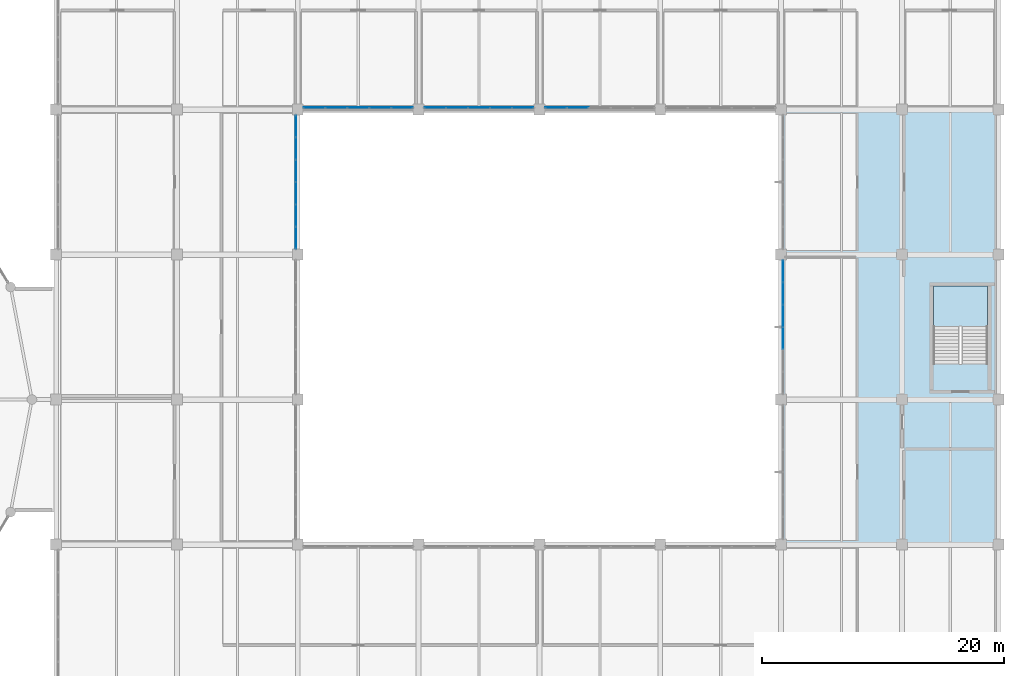
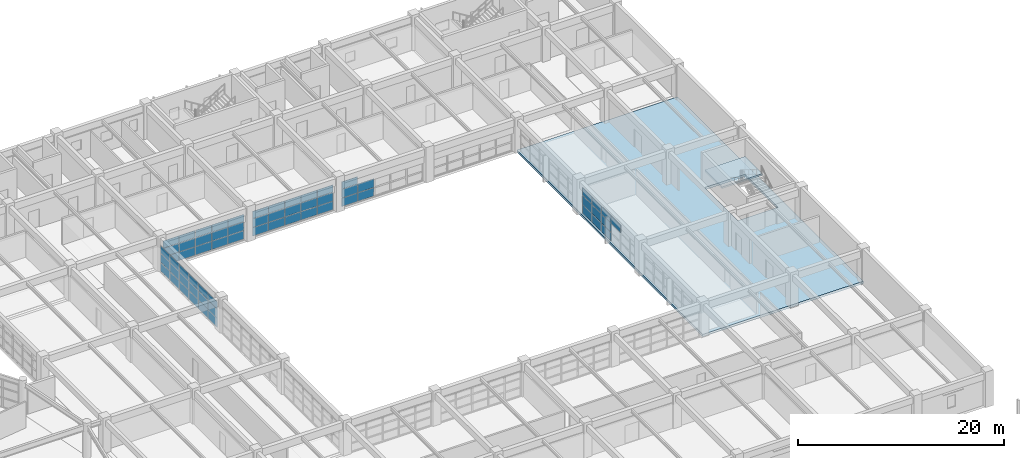
# One storey, part 72 of 100: 63 plates, 2 slabs, 6 elements without a shape of their own.
"""IFC4 building model written with IfcOpenShell, lengths in metres."""

from ifc_helpers import new_model, si_unit, direction, frame, origin, origin_2d, place, context, subcontext, project, spatial, polyline, rectangle, outline, extrude, material, layer, layer_set, type_object, element, aggregate, save


model = new_model("IFC4")

# Units and contexts
model_context = context("Model", 3, precision=1e-05, world=origin(), true_north=direction((0.0, 1.0)))
body_context = subcontext(model_context, "Body", "Model", "MODEL_VIEW")
ifc_project = project(units=[si_unit("LENGTHUNIT", "METRE"), si_unit("AREAUNIT", "SQUARE_METRE"), si_unit("VOLUMEUNIT", "CUBIC_METRE"), si_unit("PLANEANGLEUNIT", "RADIAN"), si_unit("MASSUNIT", "GRAM", prefix="KILO")], contexts=[model_context])

# Site, building, storey
site_placement = place(None, origin())
site = spatial("IfcSite", under=ifc_project, at=site_placement, CompositionType="ELEMENT")
building_placement = place(site_placement, origin())
building = spatial("IfcBuilding", under=site, at=building_placement, Name="Kivolera Central Railway Station", CompositionType="ELEMENT")
storey_placement = place(building_placement, frame((0.0, 0.0, 5.39990234375)))
storey = spatial("IfcBuildingStorey", under=building, at=storey_placement, Name="L01", CompositionType="ELEMENT", Elevation=5.39990234375)

# Curtain wall, plates
ifc_material_1 = material(Name="Anodised aluminium", Category="aluminium")
ifc_layer_1 = layer(ifc_material_1, 0.179931640625, Name="Anodised aluminium")
ifc_layer_set_1 = layer_set([ifc_layer_1], Name="Anodised aluminium")
curtain_wall_type_1 = type_object("IfcCurtainWallType", Name="CW-SYS-25", PredefinedType="NOTDEFINED", material=ifc_layer_set_1)
curtain_wall_1_placement = place(storey_placement, origin())
curtain_wall_1 = element("IfcCurtainWall", 1, at=curtain_wall_1_placement, inside=storey, type_object=curtain_wall_type_1, Name="L01 Curtain Wall CW-L01-CRTW-J", PredefinedType="NOTDEFINED")
ifc_material_2 = material(Name="Double low-E laminated glass", Category="glass")
ifc_layer_2 = layer(ifc_material_2, 0.02587890625, Name="Double low-E laminated glass")
ifc_layer_set_2 = layer_set([ifc_layer_2], Name="Double low-E laminated glass")
plate_type_1 = type_object("IfcPlateType", Name="CWP-GLZ-1", PredefinedType="CURTAIN_PANEL", material=ifc_layer_set_2)
plate_1_placement = place(storey_placement, frame((137.840087890625, 112.6142578125, 0.048095703125), z_axis=(0.0, 0.0, 1.0), x_axis=(0.0, -1.0, 0.0)))
plate_1 = element("IfcPlate", 2, at=plate_1_placement, type_object=plate_type_1, Name="CW-25 panel 1.1", PredefinedType="CURTAIN_PANEL", context=body_context, shape_type="SweptSolid", body=[
    extrude(rectangle(XDim=1.78564453125, YDim=0.02587890625, at=origin_2d()), origin(), (0.0, 0.0, 1.0), 1.025390625),
])
plate_2_placement = place(storey_placement, frame((137.840087890625, 112.6142578125, 1.109375), z_axis=(0.0, 0.0, 1.0), x_axis=(0.0, -1.0, 0.0)))
plate_2 = element("IfcPlate", 3, at=plate_2_placement, type_object=plate_type_1, Name="CW-25 panel 1.2", PredefinedType="CURTAIN_PANEL", context=body_context, shape_type="SweptSolid", body=[
    extrude(rectangle(XDim=1.78564453125, YDim=0.02587890625, at=origin_2d()), origin(), (0.0, 0.0, 1.0), 1.055419921875),
])
plate_3_placement = place(storey_placement, frame((137.840087890625, 112.6142578125, 2.20068359375), z_axis=(0.0, 0.0, 1.0), x_axis=(0.0, -1.0, 0.0)))
plate_3 = element("IfcPlate", 4, at=plate_3_placement, type_object=plate_type_1, Name="CW-25 panel 1.3", PredefinedType="CURTAIN_PANEL", context=body_context, shape_type="SweptSolid", body=[
    extrude(rectangle(XDim=1.78564453125, YDim=0.02587890625, at=origin_2d()), origin(), (0.0, 0.0, 1.0), 0.869384765625),
])
plate_4_placement = place(storey_placement, frame((137.840087890625, 110.777587890625, 0.048095703125), z_axis=(0.0, 0.0, 1.0), x_axis=(0.0, -1.0, 0.0)))
plate_4 = element("IfcPlate", 5, at=plate_4_placement, type_object=plate_type_1, Name="CW-25 panel 2.1", PredefinedType="CURTAIN_PANEL", context=body_context, shape_type="SweptSolid", body=[
    extrude(rectangle(XDim=1.815673828125, YDim=0.02587890625, at=origin_2d()), origin(), (0.0, 0.0, 1.0), 1.025390625),
])
plate_5_placement = place(storey_placement, frame((137.840087890625, 110.777587890625, 1.109375), z_axis=(0.0, 0.0, 1.0), x_axis=(0.0, -1.0, 0.0)))
plate_5 = element("IfcPlate", 6, at=plate_5_placement, type_object=plate_type_1, Name="CW-25 panel 2.2", PredefinedType="CURTAIN_PANEL", context=body_context, shape_type="SweptSolid", body=[
    extrude(rectangle(XDim=1.815673828125, YDim=0.02587890625, at=origin_2d()), origin(), (0.0, 0.0, 1.0), 1.055419921875),
])
plate_6_placement = place(storey_placement, frame((137.840087890625, 110.777587890625, 2.20068359375), z_axis=(0.0, 0.0, 1.0), x_axis=(0.0, -1.0, 0.0)))
plate_6 = element("IfcPlate", 7, at=plate_6_placement, type_object=plate_type_1, Name="CW-25 panel 2.3", PredefinedType="CURTAIN_PANEL", context=body_context, shape_type="SweptSolid", body=[
    extrude(rectangle(XDim=1.815673828125, YDim=0.02587890625, at=origin_2d()), origin(), (0.0, 0.0, 1.0), 0.869384765625),
])
plate_7_placement = place(storey_placement, frame((137.840087890625, 108.92578125, 0.048095703125), z_axis=(0.0, 0.0, 1.0), x_axis=(0.0, -1.0, 0.0)))
plate_7 = element("IfcPlate", 8, at=plate_7_placement, type_object=plate_type_1, Name="CW-25 panel 3.1", PredefinedType="CURTAIN_PANEL", context=body_context, shape_type="SweptSolid", body=[
    extrude(rectangle(XDim=1.815673828125, YDim=0.02587890625, at=origin_2d()), origin(), (0.0, 0.0, 1.0), 1.025390625),
])
plate_8_placement = place(storey_placement, frame((137.840087890625, 108.92578125, 1.109375), z_axis=(0.0, 0.0, 1.0), x_axis=(0.0, -1.0, 0.0)))
plate_8 = element("IfcPlate", 9, at=plate_8_placement, type_object=plate_type_1, Name="CW-25 panel 3.2", PredefinedType="CURTAIN_PANEL", context=body_context, shape_type="SweptSolid", body=[
    extrude(rectangle(XDim=1.815673828125, YDim=0.02587890625, at=origin_2d()), origin(), (0.0, 0.0, 1.0), 1.055419921875),
])
plate_9_placement = place(storey_placement, frame((137.840087890625, 108.92578125, 2.20068359375), z_axis=(0.0, 0.0, 1.0), x_axis=(0.0, -1.0, 0.0)))
plate_9 = element("IfcPlate", 10, at=plate_9_placement, type_object=plate_type_1, Name="CW-25 panel 3.3", PredefinedType="CURTAIN_PANEL", context=body_context, shape_type="SweptSolid", body=[
    extrude(rectangle(XDim=1.815673828125, YDim=0.02587890625, at=origin_2d()), origin(), (0.0, 0.0, 1.0), 0.869384765625),
])
plate_10_placement = place(storey_placement, frame((137.840087890625, 107.07421875, 0.048095703125), z_axis=(0.0, 0.0, 1.0), x_axis=(0.0, -1.0, 0.0)))
plate_10 = element("IfcPlate", 11, at=plate_10_placement, type_object=plate_type_1, Name="CW-25 panel 4.1", PredefinedType="CURTAIN_PANEL", context=body_context, shape_type="SweptSolid", body=[
    extrude(rectangle(XDim=1.815673828125, YDim=0.02587890625, at=origin_2d()), origin(), (0.0, 0.0, 1.0), 1.025390625),
])
plate_11_placement = place(storey_placement, frame((137.840087890625, 107.07421875, 1.109375), z_axis=(0.0, 0.0, 1.0), x_axis=(0.0, -1.0, 0.0)))
plate_11 = element("IfcPlate", 12, at=plate_11_placement, type_object=plate_type_1, Name="CW-25 panel 4.2", PredefinedType="CURTAIN_PANEL", context=body_context, shape_type="SweptSolid", body=[
    extrude(rectangle(XDim=1.815673828125, YDim=0.02587890625, at=origin_2d()), origin(), (0.0, 0.0, 1.0), 1.055419921875),
])
plate_12_placement = place(storey_placement, frame((137.840087890625, 107.07421875, 2.20068359375), z_axis=(0.0, 0.0, 1.0), x_axis=(0.0, -1.0, 0.0)))
plate_12 = element("IfcPlate", 13, at=plate_12_placement, type_object=plate_type_1, Name="CW-25 panel 4.3", PredefinedType="CURTAIN_PANEL", context=body_context, shape_type="SweptSolid", body=[
    extrude(rectangle(XDim=1.815673828125, YDim=0.02587890625, at=origin_2d()), origin(), (0.0, 0.0, 1.0), 0.869384765625),
])
plate_13_placement = place(storey_placement, frame((137.840087890625, 105.222412109375, 0.048095703125), z_axis=(0.0, 0.0, 1.0), x_axis=(0.0, -1.0, 0.0)))
plate_13 = element("IfcPlate", 14, at=plate_13_placement, type_object=plate_type_1, Name="CW-25 panel 5.1", PredefinedType="CURTAIN_PANEL", context=body_context, shape_type="SweptSolid", body=[
    extrude(rectangle(XDim=1.815673828125, YDim=0.02587890625, at=origin_2d()), origin(), (0.0, 0.0, 1.0), 1.025390625),
])
plate_14_placement = place(storey_placement, frame((137.840087890625, 105.222412109375, 1.109375), z_axis=(0.0, 0.0, 1.0), x_axis=(0.0, -1.0, 0.0)))
plate_14 = element("IfcPlate", 15, at=plate_14_placement, type_object=plate_type_1, Name="CW-25 panel 5.2", PredefinedType="CURTAIN_PANEL", context=body_context, shape_type="SweptSolid", body=[
    extrude(rectangle(XDim=1.815673828125, YDim=0.02587890625, at=origin_2d()), origin(), (0.0, 0.0, 1.0), 1.055419921875),
])
plate_15_placement = place(storey_placement, frame((137.840087890625, 105.222412109375, 2.20068359375), z_axis=(0.0, 0.0, 1.0), x_axis=(0.0, -1.0, 0.0)))
plate_15 = element("IfcPlate", 16, at=plate_15_placement, type_object=plate_type_1, Name="CW-25 panel 5.3", PredefinedType="CURTAIN_PANEL", context=body_context, shape_type="SweptSolid", body=[
    extrude(rectangle(XDim=1.815673828125, YDim=0.02587890625, at=origin_2d()), origin(), (0.0, 0.0, 1.0), 0.869384765625),
])
plate_16_placement = place(storey_placement, frame((137.840087890625, 103.3857421875, 0.048095703125), z_axis=(0.0, 0.0, 1.0), x_axis=(0.0, -1.0, 0.0)))
plate_16 = element("IfcPlate", 17, at=plate_16_placement, type_object=plate_type_1, Name="CW-25 panel 6.1", PredefinedType="CURTAIN_PANEL", context=body_context, shape_type="SweptSolid", body=[
    extrude(rectangle(XDim=1.78564453125, YDim=0.02587890625, at=origin_2d()), origin(), (0.0, 0.0, 1.0), 1.025390625),
])
plate_17_placement = place(storey_placement, frame((137.840087890625, 103.3857421875, 1.109375), z_axis=(0.0, 0.0, 1.0), x_axis=(0.0, -1.0, 0.0)))
plate_17 = element("IfcPlate", 18, at=plate_17_placement, type_object=plate_type_1, Name="CW-25 panel 6.2", PredefinedType="CURTAIN_PANEL", context=body_context, shape_type="SweptSolid", body=[
    extrude(rectangle(XDim=1.78564453125, YDim=0.02587890625, at=origin_2d()), origin(), (0.0, 0.0, 1.0), 1.055419921875),
])
plate_18_placement = place(storey_placement, frame((137.840087890625, 103.3857421875, 2.20068359375), z_axis=(0.0, 0.0, 1.0), x_axis=(0.0, -1.0, 0.0)))
plate_18 = element("IfcPlate", 19, at=plate_18_placement, type_object=plate_type_1, Name="CW-25 panel 6.3", PredefinedType="CURTAIN_PANEL", context=body_context, shape_type="SweptSolid", body=[
    extrude(rectangle(XDim=1.78564453125, YDim=0.02587890625, at=origin_2d()), origin(), (0.0, 0.0, 1.0), 0.869384765625),
])
aggregate(curtain_wall_1, [plate_1, plate_2, plate_3, plate_4, plate_5, plate_6, plate_7, plate_8, plate_9, plate_10, plate_11, plate_12, plate_13, plate_14, plate_15, plate_16, plate_17, plate_18])

ifc_layer_3 = layer(ifc_material_1, 0.179931640625, Name="Anodised aluminium")
ifc_layer_set_3 = layer_set([ifc_layer_3], Name="Anodised aluminium")
curtain_wall_type_2 = type_object("IfcCurtainWallType", Name="CW-SYS-24", PredefinedType="NOTDEFINED", material=ifc_layer_set_3)
curtain_wall_2_placement = place(storey_placement, origin())
curtain_wall_2 = element("IfcCurtainWall", 20, at=curtain_wall_2_placement, inside=storey, type_object=curtain_wall_type_2, Name="L01 Curtain Wall CW-L01-CRTN-138", PredefinedType="NOTDEFINED")
ifc_layer_4 = layer(ifc_material_2, 0.030029296875, Name="Double low-E laminated glass")
ifc_layer_set_4 = layer_set([ifc_layer_4], Name="Double low-E laminated glass")
plate_type_2 = type_object("IfcPlateType", Name="CWP-GLZ-2", PredefinedType="CURTAIN_PANEL", material=ifc_layer_set_4)
plate_19_placement = place(storey_placement, frame((146.62890625, 114.159912109375, 0.048095703125), z_axis=(0.0, 0.0, 1.0), x_axis=(-1.0, 0.0, 0.0)))
plate_19 = element("IfcPlate", 21, at=plate_19_placement, type_object=plate_type_2, Name="CW-24 panel 1.1", PredefinedType="CURTAIN_PANEL", context=body_context, shape_type="SweptSolid", body=[
    extrude(rectangle(XDim=1.756103515625, YDim=0.030029296875, at=origin_2d()), origin(), (0.0, 0.0, 1.0), 0.990234375),
])
plate_20_placement = place(storey_placement, frame((146.62890625, 114.159912109375, 1.07421875), z_axis=(0.0, 0.0, 1.0), x_axis=(-1.0, 0.0, 0.0)))
plate_20 = element("IfcPlate", 22, at=plate_20_placement, type_object=plate_type_2, Name="CW-24 panel 1.2", PredefinedType="CURTAIN_PANEL", context=body_context, shape_type="SweptSolid", body=[
    extrude(rectangle(XDim=1.756103515625, YDim=0.030029296875, at=origin_2d()), origin(), (0.0, 0.0, 1.0), 1.020263671875),
])
plate_21_placement = place(storey_placement, frame((146.62890625, 114.159912109375, 2.130615234375), z_axis=(0.0, 0.0, 1.0), x_axis=(-1.0, 0.0, 0.0)))
plate_21 = element("IfcPlate", 23, at=plate_21_placement, type_object=plate_type_2, Name="CW-24 panel 1.3", PredefinedType="CURTAIN_PANEL", context=body_context, shape_type="SweptSolid", body=[
    extrude(rectangle(XDim=1.756103515625, YDim=0.030029296875, at=origin_2d()), origin(), (0.0, 0.0, 1.0), 0.83935546875),
])
plate_22_placement = place(storey_placement, frame((144.822021484375, 114.159912109375, 0.048095703125), z_axis=(0.0, 0.0, 1.0), x_axis=(-1.0, 0.0, 0.0)))
plate_22 = element("IfcPlate", 24, at=plate_22_placement, type_object=plate_type_2, Name="CW-24 panel 2.1", PredefinedType="CURTAIN_PANEL", context=body_context, shape_type="SweptSolid", body=[
    extrude(rectangle(XDim=1.785888671875, YDim=0.030029296875, at=origin_2d()), origin(), (0.0, 0.0, 1.0), 0.990234375),
])
plate_23_placement = place(storey_placement, frame((144.822021484375, 114.159912109375, 1.07421875), z_axis=(0.0, 0.0, 1.0), x_axis=(-1.0, 0.0, 0.0)))
plate_23 = element("IfcPlate", 25, at=plate_23_placement, type_object=plate_type_2, Name="CW-24 panel 2.2", PredefinedType="CURTAIN_PANEL", context=body_context, shape_type="SweptSolid", body=[
    extrude(rectangle(XDim=1.785888671875, YDim=0.030029296875, at=origin_2d()), origin(), (0.0, 0.0, 1.0), 1.020263671875),
])
plate_24_placement = place(storey_placement, frame((144.822021484375, 114.159912109375, 2.130615234375), z_axis=(0.0, 0.0, 1.0), x_axis=(-1.0, 0.0, 0.0)))
plate_24 = element("IfcPlate", 26, at=plate_24_placement, type_object=plate_type_2, Name="CW-24 panel 2.3", PredefinedType="CURTAIN_PANEL", context=body_context, shape_type="SweptSolid", body=[
    extrude(rectangle(XDim=1.785888671875, YDim=0.030029296875, at=origin_2d()), origin(), (0.0, 0.0, 1.0), 0.83935546875),
])
plate_25_placement = place(storey_placement, frame((143.0, 114.159912109375, 0.048095703125), z_axis=(0.0, 0.0, 1.0), x_axis=(-1.0, 0.0, 0.0)))
plate_25 = element("IfcPlate", 27, at=plate_25_placement, type_object=plate_type_2, Name="CW-24 panel 3.1", PredefinedType="CURTAIN_PANEL", context=body_context, shape_type="SweptSolid", body=[
    extrude(rectangle(XDim=1.785888671875, YDim=0.030029296875, at=origin_2d()), origin(), (0.0, 0.0, 1.0), 0.990234375),
])
plate_26_placement = place(storey_placement, frame((143.0, 114.159912109375, 1.07421875), z_axis=(0.0, 0.0, 1.0), x_axis=(-1.0, 0.0, 0.0)))
plate_26 = element("IfcPlate", 28, at=plate_26_placement, type_object=plate_type_2, Name="CW-24 panel 3.2", PredefinedType="CURTAIN_PANEL", context=body_context, shape_type="SweptSolid", body=[
    extrude(rectangle(XDim=1.785888671875, YDim=0.030029296875, at=origin_2d()), origin(), (0.0, 0.0, 1.0), 1.020263671875),
])
plate_27_placement = place(storey_placement, frame((143.0, 114.159912109375, 2.130615234375), z_axis=(0.0, 0.0, 1.0), x_axis=(-1.0, 0.0, 0.0)))
plate_27 = element("IfcPlate", 29, at=plate_27_placement, type_object=plate_type_2, Name="CW-24 panel 3.3", PredefinedType="CURTAIN_PANEL", context=body_context, shape_type="SweptSolid", body=[
    extrude(rectangle(XDim=1.785888671875, YDim=0.030029296875, at=origin_2d()), origin(), (0.0, 0.0, 1.0), 0.83935546875),
])
plate_28_placement = place(storey_placement, frame((141.177978515625, 114.159912109375, 0.048095703125), z_axis=(0.0, 0.0, 1.0), x_axis=(-1.0, 0.0, 0.0)))
plate_28 = element("IfcPlate", 30, at=plate_28_placement, type_object=plate_type_2, Name="CW-24 panel 4.1", PredefinedType="CURTAIN_PANEL", context=body_context, shape_type="SweptSolid", body=[
    extrude(rectangle(XDim=1.785888671875, YDim=0.030029296875, at=origin_2d()), origin(), (0.0, 0.0, 1.0), 0.990234375),
])
plate_29_placement = place(storey_placement, frame((141.177978515625, 114.159912109375, 1.07421875), z_axis=(0.0, 0.0, 1.0), x_axis=(-1.0, 0.0, 0.0)))
plate_29 = element("IfcPlate", 31, at=plate_29_placement, type_object=plate_type_2, Name="CW-24 panel 4.2", PredefinedType="CURTAIN_PANEL", context=body_context, shape_type="SweptSolid", body=[
    extrude(rectangle(XDim=1.785888671875, YDim=0.030029296875, at=origin_2d()), origin(), (0.0, 0.0, 1.0), 1.020263671875),
])
plate_30_placement = place(storey_placement, frame((141.177978515625, 114.159912109375, 2.130615234375), z_axis=(0.0, 0.0, 1.0), x_axis=(-1.0, 0.0, 0.0)))
plate_30 = element("IfcPlate", 32, at=plate_30_placement, type_object=plate_type_2, Name="CW-24 panel 4.3", PredefinedType="CURTAIN_PANEL", context=body_context, shape_type="SweptSolid", body=[
    extrude(rectangle(XDim=1.785888671875, YDim=0.030029296875, at=origin_2d()), origin(), (0.0, 0.0, 1.0), 0.83935546875),
])
plate_31_placement = place(storey_placement, frame((139.37109375, 114.159912109375, 0.048095703125), z_axis=(0.0, 0.0, 1.0), x_axis=(-1.0, 0.0, 0.0)))
plate_31 = element("IfcPlate", 33, at=plate_31_placement, type_object=plate_type_2, Name="CW-24 panel 5.1", PredefinedType="CURTAIN_PANEL", context=body_context, shape_type="SweptSolid", body=[
    extrude(rectangle(XDim=1.756103515625, YDim=0.030029296875, at=origin_2d()), origin(), (0.0, 0.0, 1.0), 0.990234375),
])
plate_32_placement = place(storey_placement, frame((139.37109375, 114.159912109375, 1.07421875), z_axis=(0.0, 0.0, 1.0), x_axis=(-1.0, 0.0, 0.0)))
plate_32 = element("IfcPlate", 34, at=plate_32_placement, type_object=plate_type_2, Name="CW-24 panel 5.2", PredefinedType="CURTAIN_PANEL", context=body_context, shape_type="SweptSolid", body=[
    extrude(rectangle(XDim=1.756103515625, YDim=0.030029296875, at=origin_2d()), origin(), (0.0, 0.0, 1.0), 1.020263671875),
])
plate_33_placement = place(storey_placement, frame((139.37109375, 114.159912109375, 2.130615234375), z_axis=(0.0, 0.0, 1.0), x_axis=(-1.0, 0.0, 0.0)))
plate_33 = element("IfcPlate", 35, at=plate_33_placement, type_object=plate_type_2, Name="CW-24 panel 5.3", PredefinedType="CURTAIN_PANEL", context=body_context, shape_type="SweptSolid", body=[
    extrude(rectangle(XDim=1.756103515625, YDim=0.030029296875, at=origin_2d()), origin(), (0.0, 0.0, 1.0), 0.83935546875),
])
aggregate(curtain_wall_2, [plate_19, plate_20, plate_21, plate_22, plate_23, plate_24, plate_25, plate_26, plate_27, plate_28, plate_29, plate_30, plate_31, plate_32, plate_33])

curtain_wall_3_placement = place(storey_placement, origin())
curtain_wall_3 = element("IfcCurtainWall", 36, at=curtain_wall_3_placement, inside=storey, type_object=curtain_wall_type_1, Name="L01 Curtain Wall CW-L01-CRTE-H", PredefinedType="NOTDEFINED")
plate_34_placement = place(storey_placement, frame((178.159912109375, 95.07421875, 2.20068359375), z_axis=(0.0, 0.0, 1.0), x_axis=(0.0, 1.0, 0.0)))
plate_34 = element("IfcPlate", 37, at=plate_34_placement, type_object=plate_type_2, Name="CW-25 panel 3.3", PredefinedType="CURTAIN_PANEL", context=body_context, shape_type="SweptSolid", body=[
    extrude(rectangle(XDim=1.815673828125, YDim=0.030029296875, at=origin_2d()), origin(), (0.0, 0.0, 1.0), 0.869384765625),
])
plate_35_placement = place(storey_placement, frame((178.159912109375, 96.92578125, 0.048095703125), z_axis=(0.0, 0.0, 1.0), x_axis=(0.0, 1.0, 0.0)))
plate_35 = element("IfcPlate", 38, at=plate_35_placement, type_object=plate_type_2, Name="CW-25 panel 4.1", PredefinedType="CURTAIN_PANEL", context=body_context, shape_type="SweptSolid", body=[
    extrude(rectangle(XDim=1.815673828125, YDim=0.030029296875, at=origin_2d()), origin(), (0.0, 0.0, 1.0), 1.025390625),
])
plate_36_placement = place(storey_placement, frame((178.159912109375, 96.92578125, 1.109375), z_axis=(0.0, 0.0, 1.0), x_axis=(0.0, 1.0, 0.0)))
plate_36 = element("IfcPlate", 39, at=plate_36_placement, type_object=plate_type_2, Name="CW-25 panel 4.2", PredefinedType="CURTAIN_PANEL", context=body_context, shape_type="SweptSolid", body=[
    extrude(rectangle(XDim=1.815673828125, YDim=0.030029296875, at=origin_2d()), origin(), (0.0, 0.0, 1.0), 1.055419921875),
])
plate_37_placement = place(storey_placement, frame((178.159912109375, 96.92578125, 2.20068359375), z_axis=(0.0, 0.0, 1.0), x_axis=(0.0, 1.0, 0.0)))
plate_37 = element("IfcPlate", 40, at=plate_37_placement, type_object=plate_type_2, Name="CW-25 panel 4.3", PredefinedType="CURTAIN_PANEL", context=body_context, shape_type="SweptSolid", body=[
    extrude(rectangle(XDim=1.815673828125, YDim=0.030029296875, at=origin_2d()), origin(), (0.0, 0.0, 1.0), 0.869384765625),
])
plate_38_placement = place(storey_placement, frame((178.159912109375, 98.777587890625, 0.048095703125), z_axis=(0.0, 0.0, 1.0), x_axis=(0.0, 1.0, 0.0)))
plate_38 = element("IfcPlate", 41, at=plate_38_placement, type_object=plate_type_2, Name="CW-25 panel 5.1", PredefinedType="CURTAIN_PANEL", context=body_context, shape_type="SweptSolid", body=[
    extrude(rectangle(XDim=1.815673828125, YDim=0.030029296875, at=origin_2d()), origin(), (0.0, 0.0, 1.0), 1.025390625),
])
plate_39_placement = place(storey_placement, frame((178.159912109375, 98.777587890625, 1.109375), z_axis=(0.0, 0.0, 1.0), x_axis=(0.0, 1.0, 0.0)))
plate_39 = element("IfcPlate", 42, at=plate_39_placement, type_object=plate_type_2, Name="CW-25 panel 5.2", PredefinedType="CURTAIN_PANEL", context=body_context, shape_type="SweptSolid", body=[
    extrude(rectangle(XDim=1.815673828125, YDim=0.030029296875, at=origin_2d()), origin(), (0.0, 0.0, 1.0), 1.055419921875),
])
plate_40_placement = place(storey_placement, frame((178.159912109375, 98.777587890625, 2.20068359375), z_axis=(0.0, 0.0, 1.0), x_axis=(0.0, 1.0, 0.0)))
plate_40 = element("IfcPlate", 43, at=plate_40_placement, type_object=plate_type_2, Name="CW-25 panel 5.3", PredefinedType="CURTAIN_PANEL", context=body_context, shape_type="SweptSolid", body=[
    extrude(rectangle(XDim=1.815673828125, YDim=0.030029296875, at=origin_2d()), origin(), (0.0, 0.0, 1.0), 0.869384765625),
])
plate_41_placement = place(storey_placement, frame((178.159912109375, 100.6142578125, 0.048095703125), z_axis=(0.0, 0.0, 1.0), x_axis=(0.0, 1.0, 0.0)))
plate_41 = element("IfcPlate", 44, at=plate_41_placement, type_object=plate_type_2, Name="CW-25 panel 6.1", PredefinedType="CURTAIN_PANEL", context=body_context, shape_type="SweptSolid", body=[
    extrude(rectangle(XDim=1.78564453125, YDim=0.030029296875, at=origin_2d()), origin(), (0.0, 0.0, 1.0), 1.025390625),
])
plate_42_placement = place(storey_placement, frame((178.159912109375, 100.6142578125, 1.109375), z_axis=(0.0, 0.0, 1.0), x_axis=(0.0, 1.0, 0.0)))
plate_42 = element("IfcPlate", 45, at=plate_42_placement, type_object=plate_type_2, Name="CW-25 panel 6.2", PredefinedType="CURTAIN_PANEL", context=body_context, shape_type="SweptSolid", body=[
    extrude(rectangle(XDim=1.78564453125, YDim=0.030029296875, at=origin_2d()), origin(), (0.0, 0.0, 1.0), 1.055419921875),
])
plate_43_placement = place(storey_placement, frame((178.159912109375, 100.6142578125, 2.20068359375), z_axis=(0.0, 0.0, 1.0), x_axis=(0.0, 1.0, 0.0)))
plate_43 = element("IfcPlate", 46, at=plate_43_placement, type_object=plate_type_2, Name="CW-25 panel 6.3", PredefinedType="CURTAIN_PANEL", context=body_context, shape_type="SweptSolid", body=[
    extrude(rectangle(XDim=1.78564453125, YDim=0.030029296875, at=origin_2d()), origin(), (0.0, 0.0, 1.0), 0.869384765625),
])
aggregate(curtain_wall_3, [plate_34, plate_35, plate_36, plate_37, plate_38, plate_39, plate_40, plate_41, plate_42, plate_43])

curtain_wall_4_placement = place(storey_placement, origin())
curtain_wall_4 = element("IfcCurtainWall", 47, at=curtain_wall_4_placement, inside=storey, type_object=curtain_wall_type_2, Name="L01 Curtain Wall CW-L01-CRTN-148", PredefinedType="NOTDEFINED")
ifc_layer_5 = layer(ifc_material_2, 0.033935546875, Name="Double low-E laminated glass")
ifc_layer_set_5 = layer_set([ifc_layer_5], Name="Double low-E laminated glass")
plate_type_3 = type_object("IfcPlateType", Name="CWP-GLZ-3", PredefinedType="CURTAIN_PANEL", material=ifc_layer_set_5)
plate_44_placement = place(storey_placement, frame((156.62890625, 114.159912109375, 0.048095703125), z_axis=(0.0, 0.0, 1.0), x_axis=(-1.0, 0.0, 0.0)))
plate_44 = element("IfcPlate", 48, at=plate_44_placement, type_object=plate_type_3, Name="CW-24 panel 1.1", PredefinedType="CURTAIN_PANEL", context=body_context, shape_type="SweptSolid", body=[
    extrude(rectangle(XDim=1.756103515625, YDim=0.033935546875, at=origin_2d()), origin(), (0.0, 0.0, 1.0), 0.990234375),
])
plate_45_placement = place(storey_placement, frame((156.62890625, 114.159912109375, 1.07421875), z_axis=(0.0, 0.0, 1.0), x_axis=(-1.0, 0.0, 0.0)))
plate_45 = element("IfcPlate", 49, at=plate_45_placement, type_object=plate_type_3, Name="CW-24 panel 1.2", PredefinedType="CURTAIN_PANEL", context=body_context, shape_type="SweptSolid", body=[
    extrude(rectangle(XDim=1.756103515625, YDim=0.033935546875, at=origin_2d()), origin(), (0.0, 0.0, 1.0), 1.020263671875),
])
plate_46_placement = place(storey_placement, frame((156.62890625, 114.159912109375, 2.130615234375), z_axis=(0.0, 0.0, 1.0), x_axis=(-1.0, 0.0, 0.0)))
plate_46 = element("IfcPlate", 50, at=plate_46_placement, type_object=plate_type_3, Name="CW-24 panel 1.3", PredefinedType="CURTAIN_PANEL", context=body_context, shape_type="SweptSolid", body=[
    extrude(rectangle(XDim=1.756103515625, YDim=0.033935546875, at=origin_2d()), origin(), (0.0, 0.0, 1.0), 0.83935546875),
])
plate_47_placement = place(storey_placement, frame((154.822021484375, 114.159912109375, 0.048095703125), z_axis=(0.0, 0.0, 1.0), x_axis=(-1.0, 0.0, 0.0)))
plate_47 = element("IfcPlate", 51, at=plate_47_placement, type_object=plate_type_3, Name="CW-24 panel 2.1", PredefinedType="CURTAIN_PANEL", context=body_context, shape_type="SweptSolid", body=[
    extrude(rectangle(XDim=1.785888671875, YDim=0.033935546875, at=origin_2d()), origin(), (0.0, 0.0, 1.0), 0.990234375),
])
plate_48_placement = place(storey_placement, frame((154.822021484375, 114.159912109375, 1.07421875), z_axis=(0.0, 0.0, 1.0), x_axis=(-1.0, 0.0, 0.0)))
plate_48 = element("IfcPlate", 52, at=plate_48_placement, type_object=plate_type_3, Name="CW-24 panel 2.2", PredefinedType="CURTAIN_PANEL", context=body_context, shape_type="SweptSolid", body=[
    extrude(rectangle(XDim=1.785888671875, YDim=0.033935546875, at=origin_2d()), origin(), (0.0, 0.0, 1.0), 1.020263671875),
])
plate_49_placement = place(storey_placement, frame((154.822021484375, 114.159912109375, 2.130615234375), z_axis=(0.0, 0.0, 1.0), x_axis=(-1.0, 0.0, 0.0)))
plate_49 = element("IfcPlate", 53, at=plate_49_placement, type_object=plate_type_3, Name="CW-24 panel 2.3", PredefinedType="CURTAIN_PANEL", context=body_context, shape_type="SweptSolid", body=[
    extrude(rectangle(XDim=1.785888671875, YDim=0.033935546875, at=origin_2d()), origin(), (0.0, 0.0, 1.0), 0.83935546875),
])
plate_50_placement = place(storey_placement, frame((153.0, 114.159912109375, 0.048095703125), z_axis=(0.0, 0.0, 1.0), x_axis=(-1.0, 0.0, 0.0)))
plate_50 = element("IfcPlate", 54, at=plate_50_placement, type_object=plate_type_3, Name="CW-24 panel 3.1", PredefinedType="CURTAIN_PANEL", context=body_context, shape_type="SweptSolid", body=[
    extrude(rectangle(XDim=1.785888671875, YDim=0.033935546875, at=origin_2d()), origin(), (0.0, 0.0, 1.0), 0.990234375),
])
plate_51_placement = place(storey_placement, frame((153.0, 114.159912109375, 1.07421875), z_axis=(0.0, 0.0, 1.0), x_axis=(-1.0, 0.0, 0.0)))
plate_51 = element("IfcPlate", 55, at=plate_51_placement, type_object=plate_type_3, Name="CW-24 panel 3.2", PredefinedType="CURTAIN_PANEL", context=body_context, shape_type="SweptSolid", body=[
    extrude(rectangle(XDim=1.785888671875, YDim=0.033935546875, at=origin_2d()), origin(), (0.0, 0.0, 1.0), 1.020263671875),
])
plate_52_placement = place(storey_placement, frame((153.0, 114.159912109375, 2.130615234375), z_axis=(0.0, 0.0, 1.0), x_axis=(-1.0, 0.0, 0.0)))
plate_52 = element("IfcPlate", 56, at=plate_52_placement, type_object=plate_type_3, Name="CW-24 panel 3.3", PredefinedType="CURTAIN_PANEL", context=body_context, shape_type="SweptSolid", body=[
    extrude(rectangle(XDim=1.785888671875, YDim=0.033935546875, at=origin_2d()), origin(), (0.0, 0.0, 1.0), 0.83935546875),
])
plate_53_placement = place(storey_placement, frame((151.177978515625, 114.159912109375, 0.048095703125), z_axis=(0.0, 0.0, 1.0), x_axis=(-1.0, 0.0, 0.0)))
plate_53 = element("IfcPlate", 57, at=plate_53_placement, type_object=plate_type_3, Name="CW-24 panel 4.1", PredefinedType="CURTAIN_PANEL", context=body_context, shape_type="SweptSolid", body=[
    extrude(rectangle(XDim=1.785888671875, YDim=0.033935546875, at=origin_2d()), origin(), (0.0, 0.0, 1.0), 0.990234375),
])
plate_54_placement = place(storey_placement, frame((151.177978515625, 114.159912109375, 1.07421875), z_axis=(0.0, 0.0, 1.0), x_axis=(-1.0, 0.0, 0.0)))
plate_54 = element("IfcPlate", 58, at=plate_54_placement, type_object=plate_type_3, Name="CW-24 panel 4.2", PredefinedType="CURTAIN_PANEL", context=body_context, shape_type="SweptSolid", body=[
    extrude(rectangle(XDim=1.785888671875, YDim=0.033935546875, at=origin_2d()), origin(), (0.0, 0.0, 1.0), 1.020263671875),
])
plate_55_placement = place(storey_placement, frame((151.177978515625, 114.159912109375, 2.130615234375), z_axis=(0.0, 0.0, 1.0), x_axis=(-1.0, 0.0, 0.0)))
plate_55 = element("IfcPlate", 59, at=plate_55_placement, type_object=plate_type_3, Name="CW-24 panel 4.3", PredefinedType="CURTAIN_PANEL", context=body_context, shape_type="SweptSolid", body=[
    extrude(rectangle(XDim=1.785888671875, YDim=0.033935546875, at=origin_2d()), origin(), (0.0, 0.0, 1.0), 0.83935546875),
])
plate_56_placement = place(storey_placement, frame((149.37109375, 114.159912109375, 0.048095703125), z_axis=(0.0, 0.0, 1.0), x_axis=(-1.0, 0.0, 0.0)))
plate_56 = element("IfcPlate", 60, at=plate_56_placement, type_object=plate_type_3, Name="CW-24 panel 5.1", PredefinedType="CURTAIN_PANEL", context=body_context, shape_type="SweptSolid", body=[
    extrude(rectangle(XDim=1.756103515625, YDim=0.033935546875, at=origin_2d()), origin(), (0.0, 0.0, 1.0), 0.990234375),
])
plate_57_placement = place(storey_placement, frame((149.37109375, 114.159912109375, 1.07421875), z_axis=(0.0, 0.0, 1.0), x_axis=(-1.0, 0.0, 0.0)))
plate_57 = element("IfcPlate", 61, at=plate_57_placement, type_object=plate_type_3, Name="CW-24 panel 5.2", PredefinedType="CURTAIN_PANEL", context=body_context, shape_type="SweptSolid", body=[
    extrude(rectangle(XDim=1.756103515625, YDim=0.033935546875, at=origin_2d()), origin(), (0.0, 0.0, 1.0), 1.020263671875),
])
plate_58_placement = place(storey_placement, frame((149.37109375, 114.159912109375, 2.130615234375), z_axis=(0.0, 0.0, 1.0), x_axis=(-1.0, 0.0, 0.0)))
plate_58 = element("IfcPlate", 62, at=plate_58_placement, type_object=plate_type_3, Name="CW-24 panel 5.3", PredefinedType="CURTAIN_PANEL", context=body_context, shape_type="SweptSolid", body=[
    extrude(rectangle(XDim=1.756103515625, YDim=0.033935546875, at=origin_2d()), origin(), (0.0, 0.0, 1.0), 0.83935546875),
])
aggregate(curtain_wall_4, [plate_44, plate_45, plate_46, plate_47, plate_48, plate_49, plate_50, plate_51, plate_52, plate_53, plate_54, plate_55, plate_56, plate_57, plate_58])

curtain_wall_5_placement = place(storey_placement, origin())
curtain_wall_5 = element("IfcCurtainWall", 63, at=curtain_wall_5_placement, inside=storey, type_object=curtain_wall_type_2, Name="L01 Curtain Wall CW-L01-CRTN-158", PredefinedType="NOTDEFINED")
ifc_layer_6 = layer(ifc_material_2, 0.0380859375, Name="Double low-E laminated glass")
ifc_layer_set_6 = layer_set([ifc_layer_6], Name="Double low-E laminated glass")
plate_type_4 = type_object("IfcPlateType", Name="CWP-GLZ-4", PredefinedType="CURTAIN_PANEL", material=ifc_layer_set_6)
plate_59_placement = place(storey_placement, frame((161.177978515625, 114.159912109375, 0.048095703125), z_axis=(0.0, 0.0, 1.0), x_axis=(-1.0, 0.0, 0.0)))
plate_59 = element("IfcPlate", 64, at=plate_59_placement, type_object=plate_type_4, Name="CW-24 panel 4.1", PredefinedType="CURTAIN_PANEL", context=body_context, shape_type="SweptSolid", body=[
    extrude(rectangle(XDim=1.785888671875, YDim=0.0380859375, at=origin_2d()), origin(), (0.0, 0.0, 1.0), 0.990234375),
])
plate_60_placement = place(storey_placement, frame((161.177978515625, 114.159912109375, 1.07421875), z_axis=(0.0, 0.0, 1.0), x_axis=(-1.0, 0.0, 0.0)))
plate_60 = element("IfcPlate", 65, at=plate_60_placement, type_object=plate_type_4, Name="CW-24 panel 4.2", PredefinedType="CURTAIN_PANEL", context=body_context, shape_type="SweptSolid", body=[
    extrude(rectangle(XDim=1.785888671875, YDim=0.0380859375, at=origin_2d()), origin(), (0.0, 0.0, 1.0), 1.020263671875),
])
plate_61_placement = place(storey_placement, frame((159.37109375, 114.159912109375, 0.048095703125), z_axis=(0.0, 0.0, 1.0), x_axis=(-1.0, 0.0, 0.0)))
plate_61 = element("IfcPlate", 66, at=plate_61_placement, type_object=plate_type_4, Name="CW-24 panel 5.1", PredefinedType="CURTAIN_PANEL", context=body_context, shape_type="SweptSolid", body=[
    extrude(rectangle(XDim=1.756103515625, YDim=0.0380859375, at=origin_2d()), origin(), (0.0, 0.0, 1.0), 0.990234375),
])
plate_62_placement = place(storey_placement, frame((159.37109375, 114.159912109375, 1.07421875), z_axis=(0.0, 0.0, 1.0), x_axis=(-1.0, 0.0, 0.0)))
plate_62 = element("IfcPlate", 67, at=plate_62_placement, type_object=plate_type_4, Name="CW-24 panel 5.2", PredefinedType="CURTAIN_PANEL", context=body_context, shape_type="SweptSolid", body=[
    extrude(rectangle(XDim=1.756103515625, YDim=0.0380859375, at=origin_2d()), origin(), (0.0, 0.0, 1.0), 1.020263671875),
])
plate_63_placement = place(storey_placement, frame((159.37109375, 114.159912109375, 2.130615234375), z_axis=(0.0, 0.0, 1.0), x_axis=(-1.0, 0.0, 0.0)))
plate_63 = element("IfcPlate", 68, at=plate_63_placement, type_object=plate_type_4, Name="CW-24 panel 5.3", PredefinedType="CURTAIN_PANEL", context=body_context, shape_type="SweptSolid", body=[
    extrude(rectangle(XDim=1.756103515625, YDim=0.0380859375, at=origin_2d()), origin(), (0.0, 0.0, 1.0), 0.83935546875),
])
aggregate(curtain_wall_5, [plate_59, plate_60, plate_61, plate_62, plate_63])

# Slab
ifc_material_3 = material(Name="Concrete C40/50", Category="concrete")
ifc_layer_7 = layer(ifc_material_3, 0.280029296875, Name="Concrete C40/50")
ifc_layer_set_7 = layer_set([ifc_layer_7], Name="Concrete C40/50")
slab_type_1 = type_object("IfcSlabType", Name="SLB-FLR-280", PredefinedType="FLOOR", material=ifc_layer_set_7)
slab_1_placement = place(storey_placement, frame((0.0, 0.0, -0.27978515625)))
element("IfcSlab", 69, at=slab_1_placement, inside=storey, type_object=slab_type_1, Name="L01 Wing EAST Floor Slab", PredefinedType="FLOOR", context=body_context, shape_type="SweptSolid", body=[
    extrude(outline(polyline([(178.0, 78.0), (196.0, 78.0), (196.0, 114.0), (178.0, 114.0), (178.0, 78.0)]), holes=[polyline([(195.10009765625, 92.9599609375), (195.10009765625, 99.39990234375), (190.60009765625, 99.39990234375), (190.60009765625, 92.9599609375), (195.10009765625, 92.9599609375)])]), origin(), (0.0, 0.0, 1.0), 0.27978515625),
])

# Stair, slab
stair_type = type_object("IfcStairType", Name="STR-2160-24", PredefinedType="HALF_TURN_STAIR", material=ifc_material_3)
stair_placement = place(storey_placement, origin())
stair = element("IfcStair", 70, at=stair_placement, inside=storey, type_object=stair_type, Name="L01 Protected Exit Stair ST11", PredefinedType="HALF_TURN_STAIR")
ifc_layer_8 = layer(ifc_material_3, 0.199951171875, Name="Concrete C40/50")
ifc_layer_set_8 = layer_set([ifc_layer_8], Name="Concrete C40/50")
slab_type_2 = type_object("IfcSlabType", Name="SLB-LND-200", PredefinedType="LANDING", material=ifc_layer_set_8)
slab_2_placement = place(storey_placement, frame((0.0, 0.0, 1.900146484375)))
slab_2 = element("IfcSlab", 71, at=slab_2_placement, type_object=slab_type_2, Name="ST11 landing 1", PredefinedType="LANDING", context=body_context, shape_type="SweptSolid", body=[
    extrude(outline(polyline([(195.10009765625, 96.0400390625), (195.10009765625, 99.39990234375), (190.60009765625, 99.39990234375), (190.60009765625, 96.0400390625), (195.10009765625, 96.0400390625)])), origin(), (0.0, 0.0, 1.0), 0.199951171875),
])
aggregate(stair, [slab_2])

save(model, "model.ifc")
